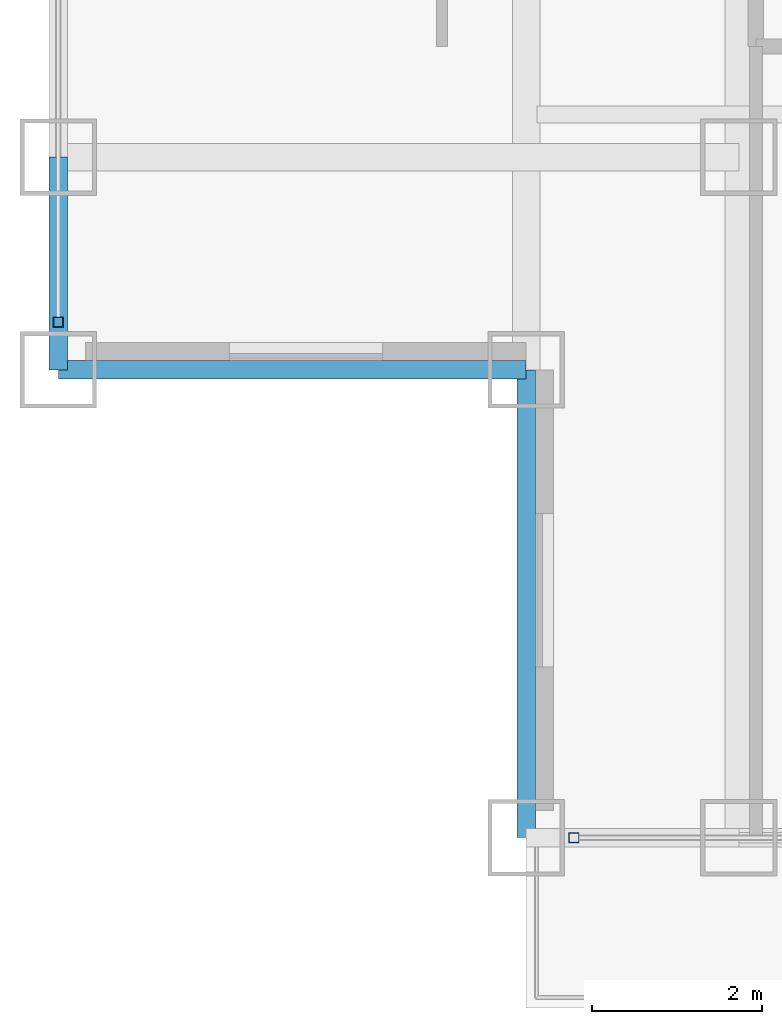
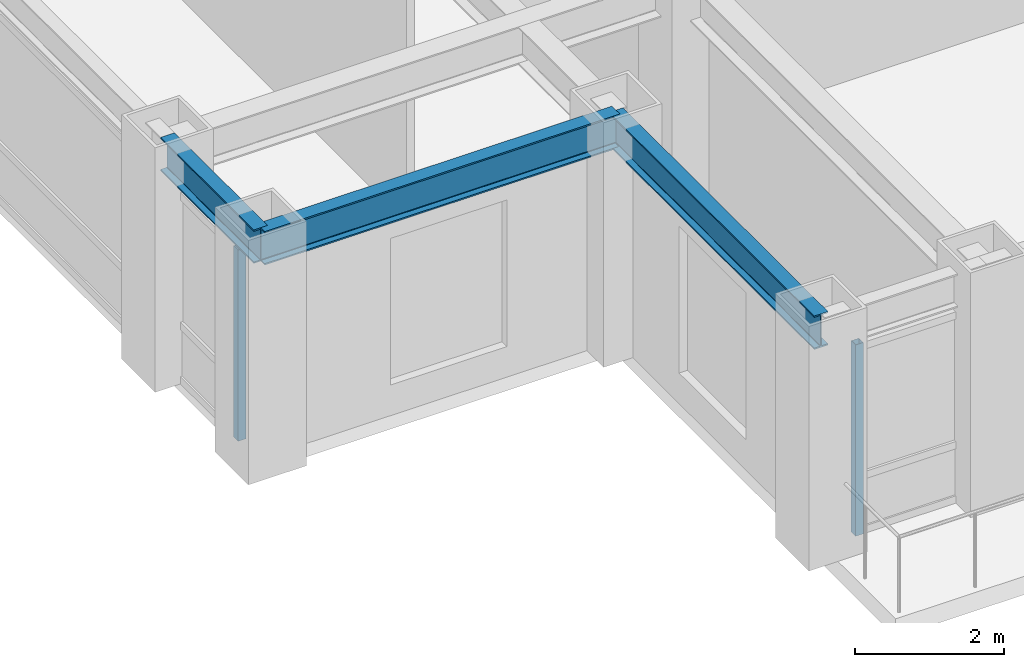
# One storey, part 2 of 32: 3 beams, 2 members, 2 elements without a shape of their own.
"""IFC4 building model written with IfcOpenShell, lengths in metres."""

from ifc_helpers import new_model, si_unit, direction, frame, origin, origin_2d, place, context, subcontext, project, spatial, hollow_rectangle, i_section, extrude, source, transform, mapped, material, material_profile, profile_set, type_object, element, aggregate, save


model = new_model("IFC4")

# Units and contexts
model_context = context("Model", 3, precision=1e-05, world=origin(), true_north=direction((0.0, 1.0)))
body_context = subcontext(model_context, "Body", "Model", "MODEL_VIEW")
ifc_project = project(units=[si_unit("LENGTHUNIT", "METRE"), si_unit("AREAUNIT", "SQUARE_METRE"), si_unit("VOLUMEUNIT", "CUBIC_METRE"), si_unit("PLANEANGLEUNIT", "RADIAN"), si_unit("MASSUNIT", "GRAM", prefix="KILO")], contexts=[model_context])

# Site, building, storey
site_placement = place(None, origin())
site = spatial("IfcSite", under=ifc_project, at=site_placement, CompositionType="ELEMENT")
building_placement = place(site_placement, origin())
building = spatial("IfcBuilding", under=site, at=building_placement, Name="Khorayat Bourse Tower", CompositionType="ELEMENT")
storey_placement = place(building_placement, frame((0.0, 0.0, 273.5)))
storey = spatial("IfcBuildingStorey", under=building, at=storey_placement, Name="L64", CompositionType="ELEMENT", Elevation=273.5)

# Beams
ifc_material_1 = material(Name="Steel ASTM A992 Grade 50", Category="steel")
ifc_material_profile_1 = material_profile(ifc_material_1, i_section(OverallWidth=0.214111328125, OverallDepth=0.549072265625, WebThickness=0.0146484375, FlangeThickness=0.023681640625, FilletRadius=0.013916015625, at=origin_2d()), Name="W530X138")
ifc_profile_set_1 = profile_set([ifc_material_profile_1], Name="Steel ASTM A992 Grade 50")
beam_type = type_object("IfcBeamType", Name="BM-SPAN-530", PredefinedType="SPANDREL", material=ifc_profile_set_1)
shared_shape_1 = source(origin(), body_context, "Body", "SweptSolid", [
    extrude(i_section(OverallWidth=0.214111328125, OverallDepth=0.549072265625, WebThickness=0.0146484375, FlangeThickness=0.023681640625, FilletRadius=0.013916015625, at=origin_2d()), origin(), (0.0, 0.0, 1.0), 2.5),
])
beam_placement = place(storey_placement, frame((-28.0, -22.5, 3.505615234375), z_axis=(0.0, 1.0, 0.0), x_axis=(-1.0, 0.0, 0.0)))
element("IfcBeam", 1, at=beam_placement, inside=storey, type_object=beam_type, Name="L64 BM-SPAN-530 BM-L64-SPN-061", PredefinedType="SPANDREL", context=body_context, shape_type="MappedRepresentation", body=[
    mapped(shared_shape_1, transform((0.0, 0.0, 0.0), scale=1.0)),
])
shared_shape_2 = source(origin(), body_context, "Body", "SweptSolid", [
    extrude(i_section(OverallWidth=0.214111328125, OverallDepth=0.549072265625, WebThickness=0.0146484375, FlangeThickness=0.023681640625, FilletRadius=0.013916015625, at=origin_2d()), origin(), (0.0, 0.0, 1.0), 5.5),
])
for number, where, z_axis, x_axis, name in (
    (2, (-28.0, -22.5, 3.505615234375), (1.0, 0.0, 0.0), (0.0, 1.0, 0.0), "L64 BM-SPAN-530 BM-L64-SPN-062"),
    (3, (-22.5, -28.0, 3.505615234375), (0.0, 1.0, 0.0), (-1.0, 0.0, 0.0), "L64 BM-SPAN-530 BM-L64-SPN-063"),
):
    element("IfcBeam", number, at=place(storey_placement, frame(where, z_axis=z_axis, x_axis=x_axis)), inside=storey, type_object=beam_type, Name=name, PredefinedType="SPANDREL", context=body_context, shape_type="MappedRepresentation", body=[
        mapped(shared_shape_2, transform((0.0, 0.0, 0.0), scale=1.0)),
    ])

# Curtain wall, member
ifc_material_2 = material(Name="Aluminium EN AW-6063 T6", Category="aluminium")
curtain_wall_type = type_object("IfcCurtainWallType", Name="CW-SYS-04", PredefinedType="NOTDEFINED", material=ifc_material_2)
curtain_wall_1_placement = place(storey_placement, origin())
curtain_wall_1 = element("IfcCurtainWall", 4, at=curtain_wall_1_placement, inside=storey, type_object=curtain_wall_type, Name="L64 Curtain Wall CW-L64-S1", PredefinedType="NOTDEFINED")
ifc_material_profile_2 = material_profile(ifc_material_2, hollow_rectangle(XDim=0.1201171875, YDim=0.1201171875, WallThickness=0.0048828125, at=origin_2d()), Name="ALU 120x120x5")
ifc_profile_set_2 = profile_set([ifc_material_profile_2], Name="Aluminium EN AW-6063 T6")
member_type = type_object("IfcMemberType", Name="CWM-VERT-120", PredefinedType="MULLION", material=ifc_profile_set_2)
shared_shape_3 = source(origin(), body_context, "Body", "SweptSolid", [
    extrude(hollow_rectangle(XDim=0.1201171875, YDim=0.1201171875, WallThickness=0.0048828125, at=origin_2d()), origin(), (0.0, 0.0, 1.0), 3.1298828125),
])
member_1_placement = place(storey_placement, frame((-21.93994140625, -28.0, 0.0), z_axis=(0.0, 0.0, 1.0), x_axis=(0.0, 1.0, 0.0)))
member_1 = element("IfcMember", 5, at=member_1_placement, type_object=member_type, Name="CW-L64-S1 Vertical Mullion 1", PredefinedType="MULLION", context=body_context, shape_type="MappedRepresentation", body=[
    mapped(shared_shape_3, transform((0.0, 0.0, 0.0), scale=1.0)),
])
aggregate(curtain_wall_1, [member_1])

curtain_wall_2_placement = place(storey_placement, origin())
curtain_wall_2 = element("IfcCurtainWall", 6, at=curtain_wall_2_placement, inside=storey, type_object=curtain_wall_type, Name="L64 Curtain Wall CW-L64-W1", PredefinedType="NOTDEFINED")
member_2_placement = place(storey_placement, frame((-28.0, -21.93994140625, 0.0), z_axis=(0.0, 0.0, 1.0), x_axis=(-1.0, 0.0, 0.0)))
member_2 = element("IfcMember", 7, at=member_2_placement, type_object=member_type, Name="CW-L64-W1 Vertical Mullion 1", PredefinedType="MULLION", context=body_context, shape_type="MappedRepresentation", body=[
    mapped(shared_shape_3, transform((0.0, 0.0, 0.0), scale=1.0)),
])
aggregate(curtain_wall_2, [member_2])

save(model, "model.ifc")
